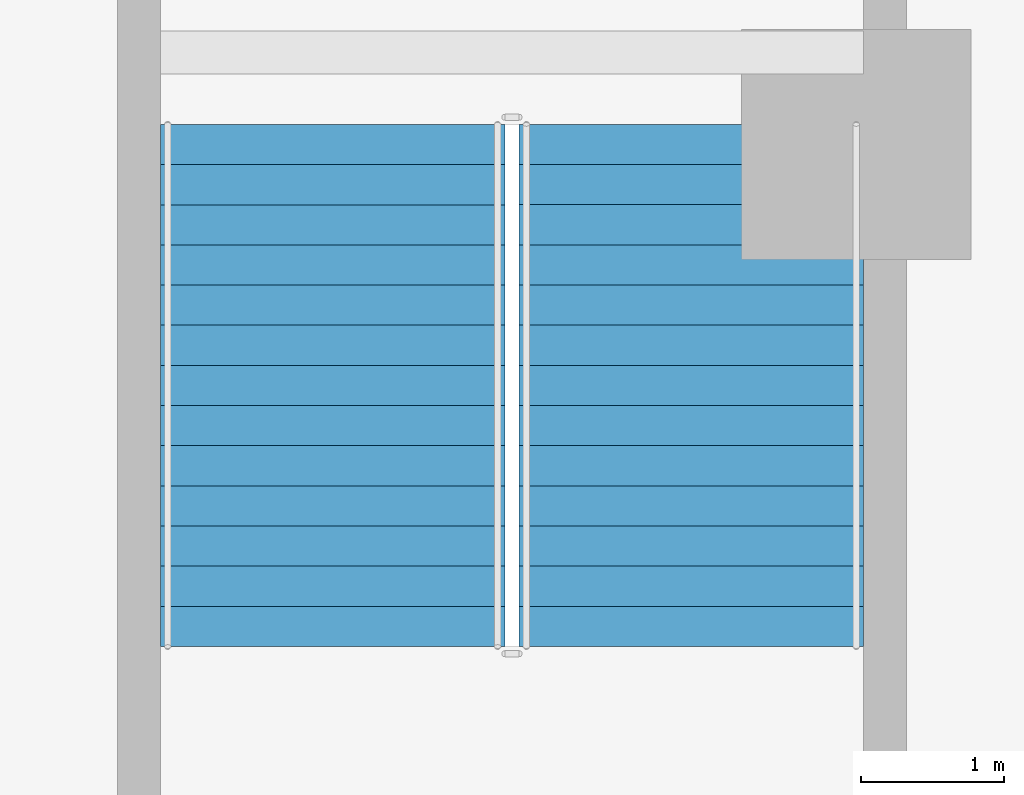
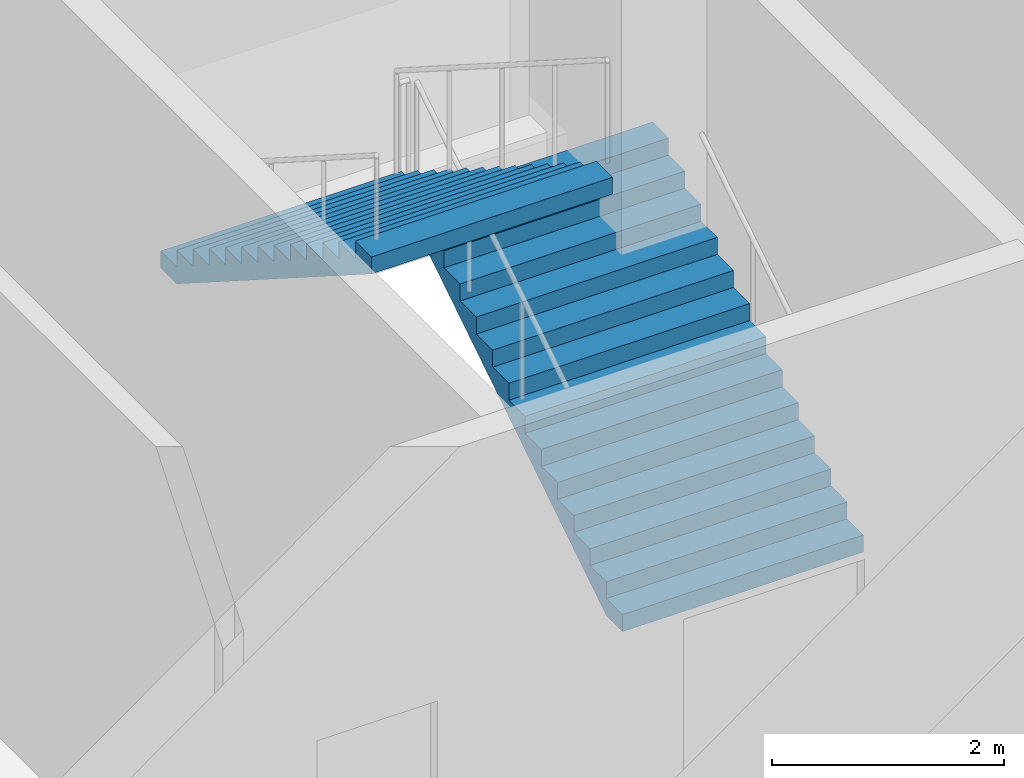
# One storey, part 14 of 31: 2 stair flights, 1 element without a shape of its own.
"""IFC4 building model written with IfcOpenShell, lengths in metres."""

from ifc_helpers import new_model, si_unit, direction, frame, origin, place, context, subcontext, project, spatial, triangles, source, transform, mapped, material, type_object, element, aggregate, save


model = new_model("IFC4")

# Units and contexts
model_context = context("Model", 3, precision=1e-05, world=origin(), true_north=direction((0.0, 1.0)))
body_context = subcontext(model_context, "Body", "Model", "MODEL_VIEW")
ifc_project = project(units=[si_unit("LENGTHUNIT", "METRE"), si_unit("AREAUNIT", "SQUARE_METRE"), si_unit("VOLUMEUNIT", "CUBIC_METRE"), si_unit("PLANEANGLEUNIT", "RADIAN"), si_unit("MASSUNIT", "GRAM", prefix="KILO")], contexts=[model_context])

# Site, building, storey
site_placement = place(None, origin())
site = spatial("IfcSite", under=ifc_project, at=site_placement, CompositionType="ELEMENT")
building_placement = place(site_placement, origin())
building = spatial("IfcBuilding", under=site, at=building_placement, Name="Ogive Portal Towers", CompositionType="ELEMENT")
storey_placement = place(building_placement, frame((0.0, 0.0, 13.5)))
storey = spatial("IfcBuildingStorey", under=building, at=storey_placement, Name="L02", CompositionType="ELEMENT", Elevation=13.5)

# Stair, stair flights
ifc_material = material(Name="Concrete C40/50", Category="concrete")
stair_type = type_object("IfcStairType", Name="INT-STAIR", PredefinedType="HALF_TURN_STAIR", material=ifc_material)
stair_placement = place(storey_placement, origin())
stair = element("IfcStair", 1, at=stair_placement, inside=storey, type_object=stair_type, Name="L02 Exit Stair ST-P2", PredefinedType="HALF_TURN_STAIR")
stair_flight_type = type_object("IfcStairFlightType", Name="INT-FLIGHT", PredefinedType="STRAIGHT", material=ifc_material)
shared_shape = source(origin(), body_context, "Body", "Tessellation", [
    triangles([(0.0, -1.199951171875, 0.0), (0.0, -0.6943359375, 0.0), (0.0, -0.35546875, 0.0), (0.0, -0.14990234375, 0.0), (0.0, -0.04443359375, 0.0), (0.0, -0.005615234375, 0.0), (0.0, 0.0, 0.0), (0.0, 0.005615234375, 0.0), (0.0, 0.04443359375, 0.0), (0.0, 0.14990234375, 0.0), (0.0, 0.35546875, 0.0), (0.0, 0.6943359375, 0.0), (0.0, 1.199951171875, 0.0), (0.0, -1.199951171875, 0.178466796875), (0.0, -0.6943359375, 0.178466796875), (0.0, -0.35546875, 0.178466796875), (0.0, -0.14990234375, 0.178466796875), (0.0, -0.04443359375, 0.178466796875), (0.0, -0.005615234375, 0.178466796875), (0.0, 0.0, 0.178466796875), (0.0, 0.005615234375, 0.178466796875), (0.0, 0.04443359375, 0.178466796875), (0.0, 0.14990234375, 0.178466796875), (0.0, 0.35546875, 0.178466796875), (0.0, 0.6943359375, 0.178466796875), (0.0, 1.199951171875, 0.178466796875), (0.280029296875, -1.199951171875, 0.178466796875), (0.280029296875, -0.6943359375, 0.178466796875), (0.280029296875, -0.35546875, 0.178466796875), (0.280029296875, -0.14990234375, 0.178466796875), (0.280029296875, -0.04443359375, 0.178466796875), (0.280029296875, -0.005615234375, 0.178466796875), (0.280029296875, 0.0, 0.178466796875), (0.280029296875, 0.005615234375, 0.178466796875), (0.280029296875, 0.04443359375, 0.178466796875), (0.280029296875, 0.14990234375, 0.178466796875), (0.280029296875, 0.35546875, 0.178466796875), (0.280029296875, 0.6943359375, 0.178466796875), (0.280029296875, 1.199951171875, 0.178466796875), (0.280029296875, -1.199951171875, 0.357177734375), (0.280029296875, -0.6943359375, 0.357177734375), (0.280029296875, -0.35546875, 0.357177734375), (0.280029296875, -0.14990234375, 0.357177734375), (0.280029296875, -0.04443359375, 0.357177734375), (0.280029296875, -0.005615234375, 0.357177734375), (0.280029296875, 0.0, 0.357177734375), (0.280029296875, 0.005615234375, 0.357177734375), (0.280029296875, 0.04443359375, 0.357177734375), (0.280029296875, 0.14990234375, 0.357177734375), (0.280029296875, 0.35546875, 0.357177734375), (0.280029296875, 0.6943359375, 0.357177734375), (0.280029296875, 1.199951171875, 0.357177734375), (0.56005859375, -1.199951171875, 0.357177734375), (0.56005859375, -0.6943359375, 0.357177734375), (0.56005859375, -0.35546875, 0.357177734375), (0.56005859375, -0.14990234375, 0.357177734375), (0.56005859375, -0.04443359375, 0.357177734375), (0.56005859375, -0.005615234375, 0.357177734375), (0.56005859375, 0.0, 0.357177734375), (0.56005859375, 0.005615234375, 0.357177734375), (0.56005859375, 0.04443359375, 0.357177734375), (0.56005859375, 0.14990234375, 0.357177734375), (0.56005859375, 0.35546875, 0.357177734375), (0.56005859375, 0.6943359375, 0.357177734375), (0.56005859375, 1.199951171875, 0.357177734375), (0.56005859375, -1.199951171875, 0.53564453125), (0.56005859375, -0.6943359375, 0.53564453125), (0.56005859375, -0.35546875, 0.53564453125), (0.56005859375, -0.14990234375, 0.53564453125), (0.56005859375, -0.04443359375, 0.53564453125), (0.56005859375, -0.005615234375, 0.53564453125), (0.56005859375, 0.0, 0.53564453125), (0.56005859375, 0.005615234375, 0.53564453125), (0.56005859375, 0.04443359375, 0.53564453125), (0.56005859375, 0.14990234375, 0.53564453125), (0.56005859375, 0.35546875, 0.53564453125), (0.56005859375, 0.6943359375, 0.53564453125), (0.56005859375, 1.199951171875, 0.53564453125), (0.840087890625, -1.199951171875, 0.53564453125), (0.840087890625, -0.6943359375, 0.53564453125), (0.840087890625, -0.35546875, 0.53564453125), (0.840087890625, -0.14990234375, 0.53564453125), (0.840087890625, -0.04443359375, 0.53564453125), (0.840087890625, -0.005615234375, 0.53564453125), (0.840087890625, 0.0, 0.53564453125), (0.840087890625, 0.005615234375, 0.53564453125), (0.840087890625, 0.04443359375, 0.53564453125), (0.840087890625, 0.14990234375, 0.53564453125), (0.840087890625, 0.35546875, 0.53564453125), (0.840087890625, 0.6943359375, 0.53564453125), (0.840087890625, 1.199951171875, 0.53564453125), (0.840087890625, -1.199951171875, 0.71435546875), (0.840087890625, -0.6943359375, 0.71435546875), (0.840087890625, -0.35546875, 0.71435546875), (0.840087890625, -0.14990234375, 0.71435546875), (0.840087890625, -0.04443359375, 0.71435546875), (0.840087890625, -0.005615234375, 0.71435546875), (0.840087890625, 0.0, 0.71435546875), (0.840087890625, 0.005615234375, 0.71435546875), (0.840087890625, 0.04443359375, 0.71435546875), (0.840087890625, 0.14990234375, 0.71435546875), (0.840087890625, 0.35546875, 0.71435546875), (0.840087890625, 0.6943359375, 0.71435546875), (0.840087890625, 1.199951171875, 0.71435546875), (1.1201171875, -1.199951171875, 0.71435546875), (1.1201171875, -0.6943359375, 0.71435546875), (1.1201171875, -0.35546875, 0.71435546875), (1.1201171875, -0.14990234375, 0.71435546875), (1.1201171875, -0.04443359375, 0.71435546875), (1.1201171875, -0.005615234375, 0.71435546875), (1.1201171875, 0.0, 0.71435546875), (1.1201171875, 0.005615234375, 0.71435546875), (1.1201171875, 0.04443359375, 0.71435546875), (1.1201171875, 0.14990234375, 0.71435546875), (1.1201171875, 0.35546875, 0.71435546875), (1.1201171875, 0.6943359375, 0.71435546875), (1.1201171875, 1.199951171875, 0.71435546875), (1.1201171875, -1.199951171875, 0.892822265625), (1.1201171875, -0.6943359375, 0.892822265625), (1.1201171875, -0.35546875, 0.892822265625), (1.1201171875, -0.14990234375, 0.892822265625), (1.1201171875, -0.04443359375, 0.892822265625), (1.1201171875, -0.005615234375, 0.892822265625), (1.1201171875, 0.0, 0.892822265625), (1.1201171875, 0.005615234375, 0.892822265625), (1.1201171875, 0.04443359375, 0.892822265625), (1.1201171875, 0.14990234375, 0.892822265625), (1.1201171875, 0.35546875, 0.892822265625), (1.1201171875, 0.6943359375, 0.892822265625), (1.1201171875, 1.199951171875, 0.892822265625), (1.39990234375, -1.199951171875, 0.892822265625), (1.39990234375, -0.6943359375, 0.892822265625), (1.39990234375, -0.35546875, 0.892822265625), (1.39990234375, -0.14990234375, 0.892822265625), (1.39990234375, -0.04443359375, 0.892822265625), (1.39990234375, -0.005615234375, 0.892822265625), (1.39990234375, 0.0, 0.892822265625), (1.39990234375, 0.005615234375, 0.892822265625), (1.39990234375, 0.04443359375, 0.892822265625), (1.39990234375, 0.14990234375, 0.892822265625), (1.39990234375, 0.35546875, 0.892822265625), (1.39990234375, 0.6943359375, 0.892822265625), (1.39990234375, 1.199951171875, 0.892822265625), (1.39990234375, -1.199951171875, 1.071533203125), (1.39990234375, -0.6943359375, 1.071533203125), (1.39990234375, -0.35546875, 1.071533203125), (1.39990234375, -0.14990234375, 1.071533203125), (1.39990234375, -0.04443359375, 1.071533203125), (1.39990234375, -0.005615234375, 1.071533203125), (1.39990234375, 0.0, 1.071533203125), (1.39990234375, 0.005615234375, 1.071533203125), (1.39990234375, 0.04443359375, 1.071533203125), (1.39990234375, 0.14990234375, 1.071533203125), (1.39990234375, 0.35546875, 1.071533203125), (1.39990234375, 0.6943359375, 1.071533203125), (1.39990234375, 1.199951171875, 1.071533203125), (1.679931640625, -1.199951171875, 1.071533203125), (1.679931640625, -0.6943359375, 1.071533203125), (1.679931640625, -0.35546875, 1.071533203125), (1.679931640625, -0.14990234375, 1.071533203125), (1.679931640625, -0.04443359375, 1.071533203125), (1.679931640625, -0.005615234375, 1.071533203125), (1.679931640625, 0.0, 1.071533203125), (1.679931640625, 0.005615234375, 1.071533203125), (1.679931640625, 0.04443359375, 1.071533203125), (1.679931640625, 0.14990234375, 1.071533203125), (1.679931640625, 0.35546875, 1.071533203125), (1.679931640625, 0.6943359375, 1.071533203125), (1.679931640625, 1.199951171875, 1.071533203125), (1.679931640625, -1.199951171875, 1.25), (1.679931640625, -0.6943359375, 1.25), (1.679931640625, -0.35546875, 1.25), (1.679931640625, -0.14990234375, 1.25), (1.679931640625, -0.04443359375, 1.25), (1.679931640625, -0.005615234375, 1.25), (1.679931640625, 0.0, 1.25), (1.679931640625, 0.005615234375, 1.25), (1.679931640625, 0.04443359375, 1.25), (1.679931640625, 0.14990234375, 1.25), (1.679931640625, 0.35546875, 1.25), (1.679931640625, 0.6943359375, 1.25), (1.679931640625, 1.199951171875, 1.25), (1.9599609375, -1.199951171875, 1.25), (1.9599609375, -0.6943359375, 1.25), (1.9599609375, -0.35546875, 1.25), (1.9599609375, -0.14990234375, 1.25), (1.9599609375, -0.04443359375, 1.25), (1.9599609375, -0.005615234375, 1.25), (1.9599609375, 0.0, 1.25), (1.9599609375, 0.005615234375, 1.25), (1.9599609375, 0.04443359375, 1.25), (1.9599609375, 0.14990234375, 1.25), (1.9599609375, 0.35546875, 1.25), (1.9599609375, 0.6943359375, 1.25), (1.9599609375, 1.199951171875, 1.25), (1.9599609375, -1.199951171875, 1.428466796875), (1.9599609375, -0.6943359375, 1.428466796875), (1.9599609375, -0.35546875, 1.428466796875), (1.9599609375, -0.14990234375, 1.428466796875), (1.9599609375, -0.04443359375, 1.428466796875), (1.9599609375, -0.005615234375, 1.428466796875), (1.9599609375, 0.0, 1.428466796875), (1.9599609375, 0.005615234375, 1.428466796875), (1.9599609375, 0.04443359375, 1.428466796875), (1.9599609375, 0.14990234375, 1.428466796875), (1.9599609375, 0.35546875, 1.428466796875), (1.9599609375, 0.6943359375, 1.428466796875), (1.9599609375, 1.199951171875, 1.428466796875), (2.239990234375, -1.199951171875, 1.428466796875), (2.239990234375, -0.6943359375, 1.428466796875), (2.239990234375, -0.35546875, 1.428466796875), (2.239990234375, -0.14990234375, 1.428466796875), (2.239990234375, -0.04443359375, 1.428466796875), (2.239990234375, -0.005615234375, 1.428466796875), (2.239990234375, 0.0, 1.428466796875), (2.239990234375, 0.005615234375, 1.428466796875), (2.239990234375, 0.04443359375, 1.428466796875), (2.239990234375, 0.14990234375, 1.428466796875), (2.239990234375, 0.35546875, 1.428466796875), (2.239990234375, 0.6943359375, 1.428466796875), (2.239990234375, 1.199951171875, 1.428466796875), (2.239990234375, -1.199951171875, 1.607177734375), (2.239990234375, -0.6943359375, 1.607177734375), (2.239990234375, -0.35546875, 1.607177734375), (2.239990234375, -0.14990234375, 1.607177734375), (2.239990234375, -0.04443359375, 1.607177734375), (2.239990234375, -0.005615234375, 1.607177734375), (2.239990234375, 0.0, 1.607177734375), (2.239990234375, 0.005615234375, 1.607177734375), (2.239990234375, 0.04443359375, 1.607177734375), (2.239990234375, 0.14990234375, 1.607177734375), (2.239990234375, 0.35546875, 1.607177734375), (2.239990234375, 0.6943359375, 1.607177734375), (2.239990234375, 1.199951171875, 1.607177734375), (2.52001953125, -1.199951171875, 1.607177734375), (2.52001953125, -0.6943359375, 1.607177734375), (2.52001953125, -0.35546875, 1.607177734375), (2.52001953125, -0.14990234375, 1.607177734375), (2.52001953125, -0.04443359375, 1.607177734375), (2.52001953125, -0.005615234375, 1.607177734375), (2.52001953125, 0.0, 1.607177734375), (2.52001953125, 0.005615234375, 1.607177734375), (2.52001953125, 0.04443359375, 1.607177734375), (2.52001953125, 0.14990234375, 1.607177734375), (2.52001953125, 0.35546875, 1.607177734375), (2.52001953125, 0.6943359375, 1.607177734375), (2.52001953125, 1.199951171875, 1.607177734375), (2.52001953125, -1.199951171875, 1.78564453125), (2.52001953125, -0.6943359375, 1.78564453125), (2.52001953125, -0.35546875, 1.78564453125), (2.52001953125, -0.14990234375, 1.78564453125), (2.52001953125, -0.04443359375, 1.78564453125), (2.52001953125, -0.005615234375, 1.78564453125), (2.52001953125, 0.0, 1.78564453125), (2.52001953125, 0.005615234375, 1.78564453125), (2.52001953125, 0.04443359375, 1.78564453125), (2.52001953125, 0.14990234375, 1.78564453125), (2.52001953125, 0.35546875, 1.78564453125), (2.52001953125, 0.6943359375, 1.78564453125), (2.52001953125, 1.199951171875, 1.78564453125), (2.800048828125, -1.199951171875, 1.78564453125), (2.800048828125, -0.6943359375, 1.78564453125), (2.800048828125, -0.35546875, 1.78564453125), (2.800048828125, -0.14990234375, 1.78564453125), (2.800048828125, -0.04443359375, 1.78564453125), (2.800048828125, -0.005615234375, 1.78564453125), (2.800048828125, 0.0, 1.78564453125), (2.800048828125, 0.005615234375, 1.78564453125), (2.800048828125, 0.04443359375, 1.78564453125), (2.800048828125, 0.14990234375, 1.78564453125), (2.800048828125, 0.35546875, 1.78564453125), (2.800048828125, 0.6943359375, 1.78564453125), (2.800048828125, 1.199951171875, 1.78564453125), (2.800048828125, -1.199951171875, 1.96435546875), (2.800048828125, -0.6943359375, 1.96435546875), (2.800048828125, -0.35546875, 1.96435546875), (2.800048828125, -0.14990234375, 1.96435546875), (2.800048828125, -0.04443359375, 1.96435546875), (2.800048828125, -0.005615234375, 1.96435546875), (2.800048828125, 0.0, 1.96435546875), (2.800048828125, 0.005615234375, 1.96435546875), (2.800048828125, 0.04443359375, 1.96435546875), (2.800048828125, 0.14990234375, 1.96435546875), (2.800048828125, 0.35546875, 1.96435546875), (2.800048828125, 0.6943359375, 1.96435546875), (2.800048828125, 1.199951171875, 1.96435546875), (3.080078125, -1.199951171875, 1.96435546875), (3.080078125, -0.6943359375, 1.96435546875), (3.080078125, -0.35546875, 1.96435546875), (3.080078125, -0.14990234375, 1.96435546875), (3.080078125, -0.04443359375, 1.96435546875), (3.080078125, -0.005615234375, 1.96435546875), (3.080078125, 0.0, 1.96435546875), (3.080078125, 0.005615234375, 1.96435546875), (3.080078125, 0.04443359375, 1.96435546875), (3.080078125, 0.14990234375, 1.96435546875), (3.080078125, 0.35546875, 1.96435546875), (3.080078125, 0.6943359375, 1.96435546875), (3.080078125, 1.199951171875, 1.96435546875), (3.080078125, -1.199951171875, 2.142822265625), (3.080078125, -0.6943359375, 2.142822265625), (3.080078125, -0.35546875, 2.142822265625), (3.080078125, -0.14990234375, 2.142822265625), (3.080078125, -0.04443359375, 2.142822265625), (3.080078125, -0.005615234375, 2.142822265625), (3.080078125, 0.0, 2.142822265625), (3.080078125, 0.005615234375, 2.142822265625), (3.080078125, 0.04443359375, 2.142822265625), (3.080078125, 0.14990234375, 2.142822265625), (3.080078125, 0.35546875, 2.142822265625), (3.080078125, 0.6943359375, 2.142822265625), (3.080078125, 1.199951171875, 2.142822265625), (3.360107421875, -1.199951171875, 2.142822265625), (3.360107421875, -0.6943359375, 2.142822265625), (3.360107421875, -0.35546875, 2.142822265625), (3.360107421875, -0.14990234375, 2.142822265625), (3.360107421875, -0.04443359375, 2.142822265625), (3.360107421875, -0.005615234375, 2.142822265625), (3.360107421875, 0.0, 2.142822265625), (3.360107421875, 0.005615234375, 2.142822265625), (3.360107421875, 0.04443359375, 2.142822265625), (3.360107421875, 0.14990234375, 2.142822265625), (3.360107421875, 0.35546875, 2.142822265625), (3.360107421875, 0.6943359375, 2.142822265625), (3.360107421875, 1.199951171875, 2.142822265625), (3.360107421875, -1.199951171875, 2.321533203125), (3.360107421875, -0.6943359375, 2.321533203125), (3.360107421875, -0.35546875, 2.321533203125), (3.360107421875, -0.14990234375, 2.321533203125), (3.360107421875, -0.04443359375, 2.321533203125), (3.360107421875, -0.005615234375, 2.321533203125), (3.360107421875, 0.0, 2.321533203125), (3.360107421875, 0.005615234375, 2.321533203125), (3.360107421875, 0.04443359375, 2.321533203125), (3.360107421875, 0.14990234375, 2.321533203125), (3.360107421875, 0.35546875, 2.321533203125), (3.360107421875, 0.6943359375, 2.321533203125), (3.360107421875, 1.199951171875, 2.321533203125), (3.639892578125, -1.199951171875, 2.321533203125), (3.639892578125, -0.6943359375, 2.321533203125), (3.639892578125, -0.35546875, 2.321533203125), (3.639892578125, -0.14990234375, 2.321533203125), (3.639892578125, -0.04443359375, 2.321533203125), (3.639892578125, -0.005615234375, 2.321533203125), (3.639892578125, 0.0, 2.321533203125), (3.639892578125, 0.005615234375, 2.321533203125), (3.639892578125, 0.04443359375, 2.321533203125), (3.639892578125, 0.14990234375, 2.321533203125), (3.639892578125, 0.35546875, 2.321533203125), (3.639892578125, 0.6943359375, 2.321533203125), (3.639892578125, 1.199951171875, 2.321533203125), (3.639892578125, -1.199951171875, 2.1435546875), (3.639892578125, -0.6943359375, 2.1435546875), (3.639892578125, -0.35546875, 2.1435546875), (3.639892578125, -0.14990234375, 2.1435546875), (3.639892578125, -0.04443359375, 2.1435546875), (3.639892578125, -0.005615234375, 2.1435546875), (3.639892578125, 0.0, 2.1435546875), (3.639892578125, 0.005615234375, 2.1435546875), (3.639892578125, 0.04443359375, 2.1435546875), (3.639892578125, 0.14990234375, 2.1435546875), (3.639892578125, 0.35546875, 2.1435546875), (3.639892578125, 0.6943359375, 2.1435546875), (3.639892578125, 1.199951171875, 2.1435546875), (0.27880859375, -1.199951171875, 0.0), (0.27880859375, -0.6943359375, 0.0), (0.27880859375, -0.35546875, 0.0), (0.27880859375, -0.14990234375, 0.0), (0.27880859375, -0.04443359375, 0.0), (0.27880859375, -0.005615234375, 0.0), (0.27880859375, 0.0, 0.0), (0.27880859375, 0.005615234375, 0.0), (0.27880859375, 0.04443359375, 0.0), (0.27880859375, 0.14990234375, 0.0), (0.27880859375, 0.35546875, 0.0), (0.27880859375, 0.6943359375, 0.0), (0.27880859375, 1.199951171875, 0.0)], [[1, 14, 15], [1, 15, 2], [2, 15, 16], [2, 16, 3], [3, 16, 17], [3, 17, 4], [4, 17, 18], [4, 18, 5], [5, 18, 19], [5, 19, 6], [6, 19, 20], [6, 20, 7], [7, 20, 21], [7, 21, 8], [8, 21, 22], [8, 22, 9], [9, 22, 23], [9, 23, 10], [10, 23, 24], [10, 24, 11], [11, 24, 25], [11, 25, 12], [12, 25, 26], [12, 26, 13], [14, 27, 28], [14, 28, 15], [15, 28, 29], [15, 29, 16], [16, 29, 30], [16, 30, 17], [17, 30, 31], [17, 31, 18], [18, 31, 32], [18, 32, 19], [19, 32, 33], [19, 33, 20], [20, 33, 34], [20, 34, 21], [21, 34, 35], [21, 35, 22], [22, 35, 36], [22, 36, 23], [23, 36, 37], [23, 37, 24], [24, 37, 38], [24, 38, 25], [25, 38, 39], [25, 39, 26], [27, 40, 41], [27, 41, 28], [28, 41, 42], [28, 42, 29], [29, 42, 43], [29, 43, 30], [30, 43, 44], [30, 44, 31], [31, 44, 45], [31, 45, 32], [32, 45, 46], [32, 46, 33], [33, 46, 47], [33, 47, 34], [34, 47, 48], [34, 48, 35], [35, 48, 49], [35, 49, 36], [36, 49, 50], [36, 50, 37], [37, 50, 51], [37, 51, 38], [38, 51, 52], [38, 52, 39], [40, 53, 54], [40, 54, 41], [41, 54, 55], [41, 55, 42], [42, 55, 56], [42, 56, 43], [43, 56, 57], [43, 57, 44], [44, 57, 58], [44, 58, 45], [45, 58, 59], [45, 59, 46], [46, 59, 60], [46, 60, 47], [47, 60, 61], [47, 61, 48], [48, 61, 62], [48, 62, 49], [49, 62, 63], [49, 63, 50], [50, 63, 64], [50, 64, 51], [51, 64, 65], [51, 65, 52], [53, 66, 67], [53, 67, 54], [54, 67, 68], [54, 68, 55], [55, 68, 69], [55, 69, 56], [56, 69, 70], [56, 70, 57], [57, 70, 71], [57, 71, 58], [58, 71, 72], [58, 72, 59], [59, 72, 73], [59, 73, 60], [60, 73, 74], [60, 74, 61], [61, 74, 75], [61, 75, 62], [62, 75, 76], [62, 76, 63], [63, 76, 77], [63, 77, 64], [64, 77, 78], [64, 78, 65], [66, 79, 80], [66, 80, 67], [67, 80, 81], [67, 81, 68], [68, 81, 82], [68, 82, 69], [69, 82, 83], [69, 83, 70], [70, 83, 84], [70, 84, 71], [71, 84, 85], [71, 85, 72], [72, 85, 86], [72, 86, 73], [73, 86, 87], [73, 87, 74], [74, 87, 88], [74, 88, 75], [75, 88, 89], [75, 89, 76], [76, 89, 90], [76, 90, 77], [77, 90, 91], [77, 91, 78], [79, 92, 93], [79, 93, 80], [80, 93, 94], [80, 94, 81], [81, 94, 95], [81, 95, 82], [82, 95, 96], [82, 96, 83], [83, 96, 97], [83, 97, 84], [84, 97, 98], [84, 98, 85], [85, 98, 99], [85, 99, 86], [86, 99, 100], [86, 100, 87], [87, 100, 101], [87, 101, 88], [88, 101, 102], [88, 102, 89], [89, 102, 103], [89, 103, 90], [90, 103, 104], [90, 104, 91], [92, 105, 106], [92, 106, 93], [93, 106, 107], [93, 107, 94], [94, 107, 108], [94, 108, 95], [95, 108, 109], [95, 109, 96], [96, 109, 110], [96, 110, 97], [97, 110, 111], [97, 111, 98], [98, 111, 112], [98, 112, 99], [99, 112, 113], [99, 113, 100], [100, 113, 114], [100, 114, 101], [101, 114, 115], [101, 115, 102], [102, 115, 116], [102, 116, 103], [103, 116, 117], [103, 117, 104], [105, 118, 119], [105, 119, 106], [106, 119, 120], [106, 120, 107], [107, 120, 121], [107, 121, 108], [108, 121, 122], [108, 122, 109], [109, 122, 123], [109, 123, 110], [110, 123, 124], [110, 124, 111], [111, 124, 125], [111, 125, 112], [112, 125, 126], [112, 126, 113], [113, 126, 127], [113, 127, 114], [114, 127, 128], [114, 128, 115], [115, 128, 129], [115, 129, 116], [116, 129, 130], [116, 130, 117], [118, 131, 132], [118, 132, 119], [119, 132, 133], [119, 133, 120], [120, 133, 134], [120, 134, 121], [121, 134, 135], [121, 135, 122], [122, 135, 136], [122, 136, 123], [123, 136, 137], [123, 137, 124], [124, 137, 138], [124, 138, 125], [125, 138, 139], [125, 139, 126], [126, 139, 140], [126, 140, 127], [127, 140, 141], [127, 141, 128], [128, 141, 142], [128, 142, 129], [129, 142, 143], [129, 143, 130], [131, 144, 145], [131, 145, 132], [132, 145, 146], [132, 146, 133], [133, 146, 147], [133, 147, 134], [134, 147, 148], [134, 148, 135], [135, 148, 149], [135, 149, 136], [136, 149, 150], [136, 150, 137], [137, 150, 151], [137, 151, 138], [138, 151, 152], [138, 152, 139], [139, 152, 153], [139, 153, 140], [140, 153, 154], [140, 154, 141], [141, 154, 155], [141, 155, 142], [142, 155, 156], [142, 156, 143], [144, 157, 158], [144, 158, 145], [145, 158, 159], [145, 159, 146], [146, 159, 160], [146, 160, 147], [147, 160, 161], [147, 161, 148], [148, 161, 162], [148, 162, 149], [149, 162, 163], [149, 163, 150], [150, 163, 164], [150, 164, 151], [151, 164, 165], [151, 165, 152], [152, 165, 166], [152, 166, 153], [153, 166, 167], [153, 167, 154], [154, 167, 168], [154, 168, 155], [155, 168, 169], [155, 169, 156], [157, 170, 171], [157, 171, 158], [158, 171, 172], [158, 172, 159], [159, 172, 173], [159, 173, 160], [160, 173, 174], [160, 174, 161], [161, 174, 175], [161, 175, 162], [162, 175, 176], [162, 176, 163], [163, 176, 177], [163, 177, 164], [164, 177, 178], [164, 178, 165], [165, 178, 179], [165, 179, 166], [166, 179, 180], [166, 180, 167], [167, 180, 181], [167, 181, 168], [168, 181, 182], [168, 182, 169], [170, 183, 184], [170, 184, 171], [171, 184, 185], [171, 185, 172], [172, 185, 186], [172, 186, 173], [173, 186, 187], [173, 187, 174], [174, 187, 188], [174, 188, 175], [175, 188, 189], [175, 189, 176], [176, 189, 190], [176, 190, 177], [177, 190, 191], [177, 191, 178], [178, 191, 192], [178, 192, 179], [179, 192, 193], [179, 193, 180], [180, 193, 194], [180, 194, 181], [181, 194, 195], [181, 195, 182], [183, 196, 197], [183, 197, 184], [184, 197, 198], [184, 198, 185], [185, 198, 199], [185, 199, 186], [186, 199, 200], [186, 200, 187], [187, 200, 201], [187, 201, 188], [188, 201, 202], [188, 202, 189], [189, 202, 203], [189, 203, 190], [190, 203, 204], [190, 204, 191], [191, 204, 205], [191, 205, 192], [192, 205, 206], [192, 206, 193], [193, 206, 207], [193, 207, 194], [194, 207, 208], [194, 208, 195], [196, 209, 210], [196, 210, 197], [197, 210, 211], [197, 211, 198], [198, 211, 212], [198, 212, 199], [199, 212, 213], [199, 213, 200], [200, 213, 214], [200, 214, 201], [201, 214, 215], [201, 215, 202], [202, 215, 216], [202, 216, 203], [203, 216, 217], [203, 217, 204], [204, 217, 218], [204, 218, 205], [205, 218, 219], [205, 219, 206], [206, 219, 220], [206, 220, 207], [207, 220, 221], [207, 221, 208], [209, 222, 223], [209, 223, 210], [210, 223, 224], [210, 224, 211], [211, 224, 225], [211, 225, 212], [212, 225, 226], [212, 226, 213], [213, 226, 227], [213, 227, 214], [214, 227, 228], [214, 228, 215], [215, 228, 229], [215, 229, 216], [216, 229, 230], [216, 230, 217], [217, 230, 231], [217, 231, 218], [218, 231, 232], [218, 232, 219], [219, 232, 233], [219, 233, 220], [220, 233, 234], [220, 234, 221], [222, 235, 236], [222, 236, 223], [223, 236, 237], [223, 237, 224], [224, 237, 238], [224, 238, 225], [225, 238, 239], [225, 239, 226], [226, 239, 240], [226, 240, 227], [227, 240, 241], [227, 241, 228], [228, 241, 242], [228, 242, 229], [229, 242, 243], [229, 243, 230], [230, 243, 244], [230, 244, 231], [231, 244, 245], [231, 245, 232], [232, 245, 246], [232, 246, 233], [233, 246, 247], [233, 247, 234], [235, 248, 249], [235, 249, 236], [236, 249, 250], [236, 250, 237], [237, 250, 251], [237, 251, 238], [238, 251, 252], [238, 252, 239], [239, 252, 253], [239, 253, 240], [240, 253, 254], [240, 254, 241], [241, 254, 255], [241, 255, 242], [242, 255, 256], [242, 256, 243], [243, 256, 257], [243, 257, 244], [244, 257, 258], [244, 258, 245], [245, 258, 259], [245, 259, 246], [246, 259, 260], [246, 260, 247], [248, 261, 262], [248, 262, 249], [249, 262, 263], [249, 263, 250], [250, 263, 264], [250, 264, 251], [251, 264, 265], [251, 265, 252], [252, 265, 266], [252, 266, 253], [253, 266, 267], [253, 267, 254], [254, 267, 268], [254, 268, 255], [255, 268, 269], [255, 269, 256], [256, 269, 270], [256, 270, 257], [257, 270, 271], [257, 271, 258], [258, 271, 272], [258, 272, 259], [259, 272, 273], [259, 273, 260], [261, 274, 275], [261, 275, 262], [262, 275, 276], [262, 276, 263], [263, 276, 277], [263, 277, 264], [264, 277, 278], [264, 278, 265], [265, 278, 279], [265, 279, 266], [266, 279, 280], [266, 280, 267], [267, 280, 281], [267, 281, 268], [268, 281, 282], [268, 282, 269], [269, 282, 283], [269, 283, 270], [270, 283, 284], [270, 284, 271], [271, 284, 285], [271, 285, 272], [272, 285, 286], [272, 286, 273], [274, 287, 288], [274, 288, 275], [275, 288, 289], [275, 289, 276], [276, 289, 290], [276, 290, 277], [277, 290, 291], [277, 291, 278], [278, 291, 292], [278, 292, 279], [279, 292, 293], [279, 293, 280], [280, 293, 294], [280, 294, 281], [281, 294, 295], [281, 295, 282], [282, 295, 296], [282, 296, 283], [283, 296, 297], [283, 297, 284], [284, 297, 298], [284, 298, 285], [285, 298, 299], [285, 299, 286], [287, 300, 301], [287, 301, 288], [288, 301, 302], [288, 302, 289], [289, 302, 303], [289, 303, 290], [290, 303, 304], [290, 304, 291], [291, 304, 305], [291, 305, 292], [292, 305, 306], [292, 306, 293], [293, 306, 307], [293, 307, 294], [294, 307, 308], [294, 308, 295], [295, 308, 309], [295, 309, 296], [296, 309, 310], [296, 310, 297], [297, 310, 311], [297, 311, 298], [298, 311, 312], [298, 312, 299], [300, 313, 314], [300, 314, 301], [301, 314, 315], [301, 315, 302], [302, 315, 316], [302, 316, 303], [303, 316, 317], [303, 317, 304], [304, 317, 318], [304, 318, 305], [305, 318, 319], [305, 319, 306], [306, 319, 320], [306, 320, 307], [307, 320, 321], [307, 321, 308], [308, 321, 322], [308, 322, 309], [309, 322, 323], [309, 323, 310], [310, 323, 324], [310, 324, 311], [311, 324, 325], [311, 325, 312], [313, 326, 327], [313, 327, 314], [314, 327, 328], [314, 328, 315], [315, 328, 329], [315, 329, 316], [316, 329, 330], [316, 330, 317], [317, 330, 331], [317, 331, 318], [318, 331, 332], [318, 332, 319], [319, 332, 333], [319, 333, 320], [320, 333, 334], [320, 334, 321], [321, 334, 335], [321, 335, 322], [322, 335, 336], [322, 336, 323], [323, 336, 337], [323, 337, 324], [324, 337, 338], [324, 338, 325], [326, 339, 340], [326, 340, 327], [327, 340, 341], [327, 341, 328], [328, 341, 342], [328, 342, 329], [329, 342, 343], [329, 343, 330], [330, 343, 344], [330, 344, 331], [331, 344, 345], [331, 345, 332], [332, 345, 346], [332, 346, 333], [333, 346, 347], [333, 347, 334], [334, 347, 348], [334, 348, 335], [335, 348, 349], [335, 349, 336], [336, 349, 350], [336, 350, 337], [337, 350, 351], [337, 351, 338], [339, 352, 353], [339, 353, 340], [340, 353, 354], [340, 354, 341], [341, 354, 355], [341, 355, 342], [342, 355, 356], [342, 356, 343], [343, 356, 357], [343, 357, 344], [344, 357, 358], [344, 358, 345], [345, 358, 359], [345, 359, 346], [346, 359, 360], [346, 360, 347], [347, 360, 361], [347, 361, 348], [348, 361, 362], [348, 362, 349], [349, 362, 363], [349, 363, 350], [350, 363, 364], [350, 364, 351], [352, 365, 366], [352, 366, 353], [353, 366, 367], [353, 367, 354], [354, 367, 368], [354, 368, 355], [355, 368, 369], [355, 369, 356], [356, 369, 370], [356, 370, 357], [357, 370, 371], [357, 371, 358], [358, 371, 372], [358, 372, 359], [359, 372, 373], [359, 373, 360], [360, 373, 374], [360, 374, 361], [361, 374, 375], [361, 375, 362], [362, 375, 376], [362, 376, 363], [363, 376, 377], [363, 377, 364], [365, 1, 2], [365, 2, 366], [366, 2, 3], [366, 3, 367], [367, 3, 4], [367, 4, 368], [368, 4, 5], [368, 5, 369], [369, 5, 6], [369, 6, 370], [370, 6, 7], [370, 7, 371], [371, 7, 8], [371, 8, 372], [372, 8, 9], [372, 9, 373], [373, 9, 10], [373, 10, 374], [374, 10, 11], [374, 11, 375], [375, 11, 12], [375, 12, 376], [376, 12, 13], [376, 13, 377], [1, 365, 352], [13, 364, 377], [352, 339, 326], [364, 338, 351], [352, 326, 313], [364, 325, 338], [313, 300, 287], [325, 299, 312], [352, 313, 287], [364, 299, 325], [287, 274, 261], [299, 273, 286], [352, 287, 261], [364, 273, 299], [261, 248, 235], [273, 247, 260], [352, 261, 235], [364, 247, 273], [235, 222, 209], [247, 221, 234], [352, 235, 209], [364, 221, 247], [209, 196, 183], [221, 195, 208], [352, 209, 183], [364, 195, 221], [183, 170, 157], [195, 169, 182], [352, 183, 157], [364, 169, 195], [157, 144, 131], [169, 143, 156], [352, 157, 131], [364, 143, 169], [131, 118, 105], [143, 117, 130], [352, 131, 105], [364, 117, 143], [105, 92, 79], [117, 91, 104], [352, 105, 79], [364, 91, 117], [79, 66, 53], [91, 65, 78], [352, 79, 53], [364, 65, 91], [53, 40, 27], [65, 39, 52], [352, 53, 27], [364, 39, 65], [1, 352, 27], [13, 39, 364], [27, 14, 1], [39, 13, 26]], closed=True),
])
stair_flight_1_placement = place(storey_placement, frame((39.35009765625, 45.0, 0.0), z_axis=(0.0, 0.0, 1.0), x_axis=(0.0, 1.0, 0.0)))
stair_flight_1 = element("IfcStairFlight", 2, at=stair_flight_1_placement, type_object=stair_flight_type, Name="ST-P2 flight 1", NumberOfRisers=14, NumberOfTreads=13, PredefinedType="STRAIGHT", RiserHeight=0.178571429, TreadLength=0.28, context=body_context, shape_type="MappedRepresentation", body=[
    mapped(shared_shape, transform((0.0, 0.0, 0.0), scale=1.0)),
])
stair_flight_2_placement = place(storey_placement, frame((36.85009765625, 48.639892578125, 2.5), z_axis=(0.0, 0.0, 1.0), x_axis=(0.0, -1.0, 0.0)))
stair_flight_2 = element("IfcStairFlight", 3, at=stair_flight_2_placement, type_object=stair_flight_type, Name="ST-P2 flight 2", NumberOfRisers=14, NumberOfTreads=13, PredefinedType="STRAIGHT", RiserHeight=0.178571429, TreadLength=0.28, context=body_context, shape_type="MappedRepresentation", body=[
    mapped(shared_shape, transform((0.0, 0.0, 0.0), scale=1.0)),
])
aggregate(stair, [stair_flight_1, stair_flight_2])

save(model, "model.ifc")
